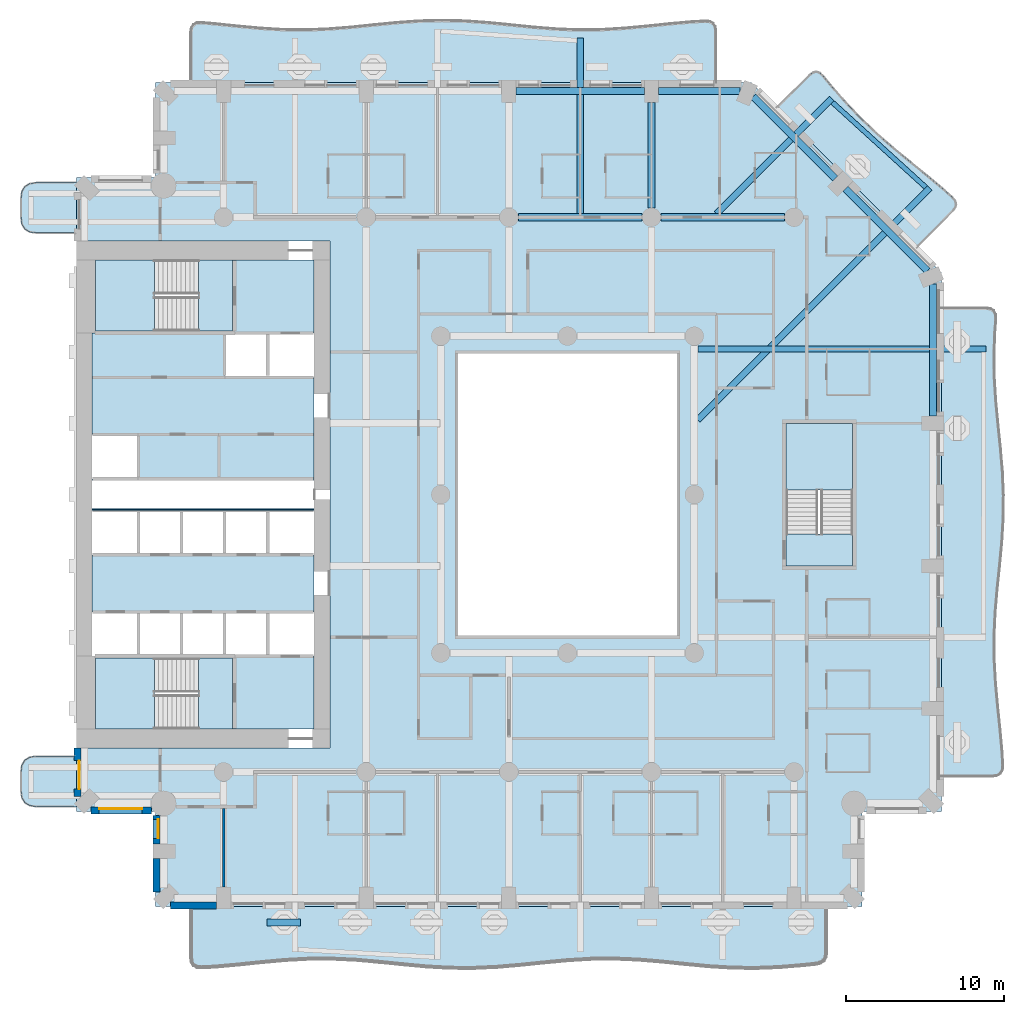
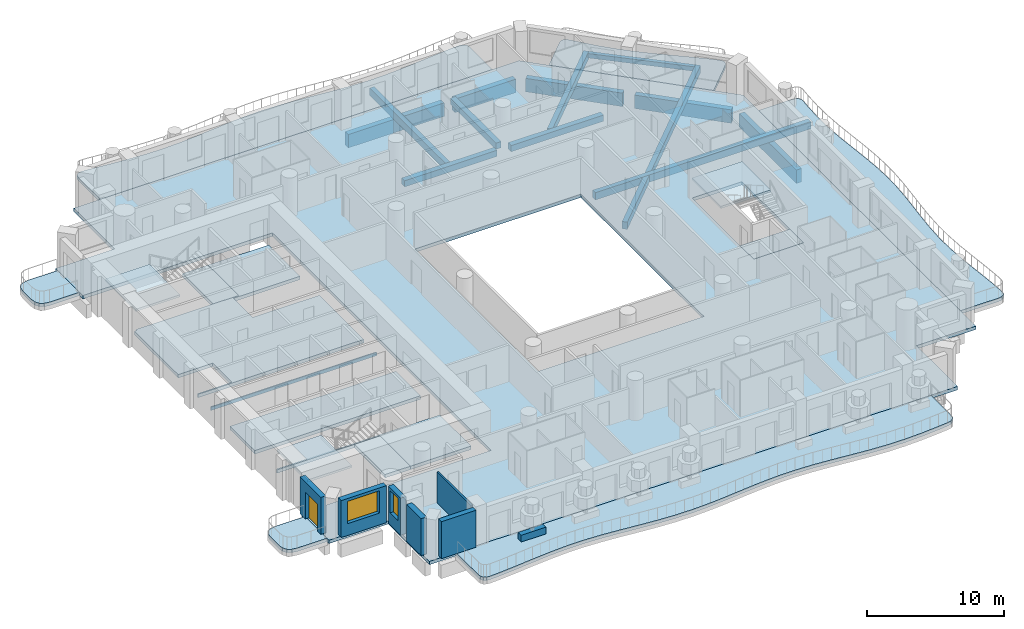
# One storey, part 2 of 20: 17 slabs, 13 beams, 7 walls, 2 windows, 1 door, 3 openings, 3 elements without a shape of their own.
"""IFC4 building model written with IfcOpenShell, lengths in metres."""

from ifc_helpers import new_model, si_unit, direction, frame, frame_2d, origin, origin_2d, place, context, subcontext, project, spatial, polyline, rectangle, outline, extrude, material, layer, layer_set, material_profile, profile_set, type_object, element, fill, aggregate, save


model = new_model("IFC4")

# Units and contexts
model_context = context("Model", 3, precision=1e-05, world=origin(), true_north=direction((0.0, 1.0)))
body_context = subcontext(model_context, "Body", "Model", "MODEL_VIEW")
ifc_project = project(units=[si_unit("LENGTHUNIT", "METRE"), si_unit("AREAUNIT", "SQUARE_METRE"), si_unit("VOLUMEUNIT", "CUBIC_METRE"), si_unit("PLANEANGLEUNIT", "RADIAN"), si_unit("MASSUNIT", "GRAM", prefix="KILO")], contexts=[model_context])

# Site, building, storey
site_placement = place(None, origin())
site = spatial("IfcSite", under=ifc_project, at=site_placement, CompositionType="ELEMENT")
building_placement = place(site_placement, origin())
building = spatial("IfcBuilding", under=site, at=building_placement, Name="Cypress Arch Tower", CompositionType="ELEMENT")
storey_placement = place(building_placement, frame((0.0, 0.0, 55.5)))
storey = spatial("IfcBuildingStorey", under=building, at=storey_placement, Name="L07", CompositionType="ELEMENT", Elevation=55.5)

# Beams
ifc_material_1 = material(Name="Concrete C50/60", Category="concrete")
ifc_material_profile_1 = material_profile(ifc_material_1, rectangle(XDim=0.300048828125, YDim=0.39990234375, at=origin_2d()), Name="RC 300x400")
ifc_profile_set_1 = profile_set([ifc_material_profile_1], Name="Concrete C50/60")
beam_type_1 = type_object("IfcBeamType", Name="Balcony edge beam RC 300x400 Concrete C50/60", PredefinedType="BEAM", material=ifc_profile_set_1)
beam_1_placement = place(storey_placement, frame((23.615478515625, 19.38623046875, -0.5), z_axis=(-0.739547675777, 0.673104178603, 0.0), x_axis=(-0.673104178603, -0.739547675777, 0.0)))
element("IfcBeam", 1, at=beam_1_placement, inside=storey, type_object=beam_type_1, Name="Balcony edge beam L07 A07", PredefinedType="BEAM", context=body_context, shape_type="SweptSolid", body=[
    extrude(rectangle(XDim=0.300048828125, YDim=0.39990234375, at=origin_2d()), origin(), (0.0, 0.0, 1.0), 7.9697265625),
])
ifc_material_2 = material(Name="Concrete C50/60", Category="concrete")
ifc_material_profile_2 = material_profile(ifc_material_2, rectangle(XDim=0.39990234375, YDim=0.64990234375, at=origin_2d()), Name="RC 400x650")
ifc_profile_set_2 = profile_set([ifc_material_profile_2], Name="Concrete C50/60")
beam_type_2 = type_object("IfcBeamType", Name="Cantilever beam RC 400x650 Concrete C50/60", PredefinedType="BEAM", material=ifc_profile_set_2)
beam_2_placement = place(storey_placement, frame((9.22509765625, 9.18798828125, -0.625), z_axis=(1.0, 0.0, 0.0), x_axis=(0.0, 1.0, 0.0)))
element("IfcBeam", 2, at=beam_2_placement, inside=storey, type_object=beam_type_2, Name="Cantilever beam L07 A06 2", PredefinedType="BEAM", context=body_context, shape_type="SweptSolid", body=[
    extrude(rectangle(XDim=0.39990234375, YDim=0.64990234375, at=origin_2d()), origin(), (0.0, 0.0, 1.0), 18.190673828125),
])
beam_3_placement = place(storey_placement, frame((9.22509765625, 4.712890625, -0.625), z_axis=(0.707106781187, 0.707106781187, 0.0), x_axis=(-0.707106781187, 0.707106781187, 0.0)))
element("IfcBeam", 3, at=beam_3_placement, inside=storey, type_object=beam_type_2, Name="Cantilever beam L07 A07 1", PredefinedType="BEAM", context=body_context, shape_type="SweptSolid", body=[
    extrude(rectangle(XDim=0.39990234375, YDim=0.64990234375, at=origin_2d()), origin(), (0.0, 0.0, 1.0), 20.701171875),
])
beam_4_placement = place(storey_placement, frame((10.412841796875, 17.72509765625, -0.625), z_axis=(0.707106781187, 0.707106781187, 0.0), x_axis=(-0.707106781187, 0.707106781187, 0.0)))
element("IfcBeam", 4, at=beam_4_placement, inside=storey, type_object=beam_type_2, Name="Cantilever beam L07 A07 2", PredefinedType="BEAM", context=body_context, shape_type="SweptSolid", body=[
    extrude(rectangle(XDim=0.39990234375, YDim=0.64990234375, at=origin_2d()), origin(), (0.0, 0.0, 1.0), 10.285888671875),
])
beam_5_placement = place(storey_placement, frame((1.800048828125, 17.72509765625, -0.625), z_axis=(0.0, 1.0, 0.0), x_axis=(-1.0, 0.0, 0.0)))
element("IfcBeam", 5, at=beam_5_placement, inside=storey, type_object=beam_type_2, Name="Cantilever beam L07 A08 1", PredefinedType="BEAM", context=body_context, shape_type="SweptSolid", body=[
    extrude(rectangle(XDim=0.39990234375, YDim=0.64990234375, at=origin_2d()), origin(), (0.0, 0.0, 1.0), 11.07861328125),
])
ifc_material_3 = material(Name="Concrete C50/60", Category="concrete")
ifc_material_profile_3 = material_profile(ifc_material_3, rectangle(XDim=0.449951171875, YDim=0.550048828125, at=origin_2d()), Name="RC 450x550")
ifc_profile_set_3 = profile_set([ifc_material_profile_3], Name="Concrete C50/60")
beam_type_3 = type_object("IfcBeamType", Name="Floor beam RC 450x550 Concrete C50/60", PredefinedType="BEAM", material=ifc_profile_set_3)
for number, where, z_axis, x_axis, name in (
    (6, (-2.10009765625, 17.5, -0.574951171875), (1.0, 0.0, 0.0), (0.0, 1.0, 0.0), "Floor beam L07 FB017"),
    (7, (6.89990234375, 17.5, -0.574951171875), (1.0, 0.0, 0.0), (0.0, 1.0, 0.0), "Floor beam L07 FB018"),
):
    element("IfcBeam", number, at=place(storey_placement, frame(where, z_axis=z_axis, x_axis=x_axis)), inside=storey, type_object=beam_type_3, Name=name, PredefinedType="BEAM", context=body_context, shape_type="SweptSolid", body=[
        extrude(rectangle(XDim=0.449951171875, YDim=0.550048828125, at=origin_2d()), origin(), (0.0, 0.0, 1.0), 7.800048828125),
    ])
beam_6_placement = place(storey_placement, frame((6.300048828125, 18.10009765625, -0.574951171875), z_axis=(0.0, 1.0, 0.0), x_axis=(-1.0, 0.0, 0.0)))
element("IfcBeam", 8, at=beam_6_placement, inside=storey, type_object=beam_type_3, Name="Floor beam L07 FB033", PredefinedType="BEAM", context=body_context, shape_type="SweptSolid", body=[
    extrude(rectangle(XDim=0.449951171875, YDim=0.550048828125, at=origin_2d()), origin(), (0.0, 0.0, 1.0), 6.64990234375),
])
ifc_material_4 = material(Name="Concrete C50/60", Category="concrete")
ifc_material_profile_4 = material_profile(ifc_material_4, rectangle(XDim=0.449951171875, YDim=1.199951171875, at=origin_2d()), Name="RC 450x1200")
ifc_profile_set_4 = profile_set([ifc_material_profile_4], Name="Concrete C50/60")
beam_type_4 = type_object("IfcBeamType", Name="Spandrel beam RC 450x1200 Concrete C50/60", PredefinedType="SPANDREL", material=ifc_profile_set_4)
beam_7_placement = place(storey_placement, frame((24.074951171875, 4.949951171875, -1.550048828125), z_axis=(0.0, 1.0, 0.0), x_axis=(-1.0, 0.0, 0.0)))
element("IfcBeam", 9, at=beam_7_placement, inside=storey, type_object=beam_type_4, Name="Spandrel beam L07 BA06-3", PredefinedType="SPANDREL", context=body_context, shape_type="SweptSolid", body=[
    extrude(rectangle(XDim=0.449951171875, YDim=1.199951171875, at=origin_2d()), origin(), (0.0, 0.0, 1.0), 8.345458984375),
])
for number, where, z_axis, x_axis, name in (
    (10, (23.73046875, 14.126953125, -1.550048828125), (-0.707106781187, 0.707106781187, 0.0), (-0.707106781187, -0.707106781187, 0.0), "Spandrel beam L07 BA07-0"),
    (11, (17.91064453125, 19.947021484375, -1.550048828125), (-0.707106781187, 0.707106781187, 0.0), (-0.707106781187, -0.707106781187, 0.0), "Spandrel beam L07 BA07-1"),
):
    element("IfcBeam", number, at=place(storey_placement, frame(where, z_axis=z_axis, x_axis=x_axis)), inside=storey, type_object=beam_type_4, Name=name, PredefinedType="SPANDREL", context=body_context, shape_type="SweptSolid", body=[
        extrude(rectangle(XDim=0.449951171875, YDim=1.199951171875, at=origin_2d()), origin(), (0.0, 0.0, 1.0), 7.330810546875),
    ])
beam_8_placement = place(storey_placement, frame((11.8955078125, 25.47509765625, -1.550048828125), z_axis=(-1.0, 0.0, 0.0), x_axis=(0.0, -1.0, 0.0)))
element("IfcBeam", 12, at=beam_8_placement, inside=storey, type_object=beam_type_4, Name="Spandrel beam L07 BA08-0", PredefinedType="SPANDREL", context=body_context, shape_type="SweptSolid", body=[
    extrude(rectangle(XDim=0.449951171875, YDim=1.199951171875, at=origin_2d()), origin(), (0.0, 0.0, 1.0), 5.1455078125),
])
beam_9_placement = place(storey_placement, frame((5.85009765625, 25.47509765625, -1.550048828125), z_axis=(-1.0, 0.0, 0.0), x_axis=(0.0, -1.0, 0.0)))
element("IfcBeam", 13, at=beam_9_placement, inside=storey, type_object=beam_type_4, Name="Spandrel beam L07 BA08-1", PredefinedType="SPANDREL", context=body_context, shape_type="SweptSolid", body=[
    extrude(rectangle(XDim=0.449951171875, YDim=1.199951171875, at=origin_2d()), origin(), (0.0, 0.0, 1.0), 8.10009765625),
])

# Slabs
ifc_material_5 = material(Name="Concrete C40/50", Category="concrete")
ifc_layer_1 = layer(ifc_material_5, 0.300048828125)
ifc_layer_set_1 = layer_set([ifc_layer_1], Name="Balcony slab BS300")
slab_type_1 = type_object("IfcSlabType", Name="Balcony slab BS300", PredefinedType="USERDEFINED", material=ifc_layer_set_1)
slab_1_placement = place(storey_placement, frame((0.0, 0.0, -0.300048828125)))
element("IfcSlab", 14, at=slab_1_placement, inside=storey, type_object=slab_type_1, Name="Balcony slab L07-A00W0", ObjectType="BALCONY SLAB", PredefinedType="USERDEFINED", context=body_context, shape_type="SweptSolid", body=[
    extrude(outline(polyline([(-30.0, 19.699951171875), (-32.5, 19.699951171875), (-32.9375, 19.637451171875), (-33.25, 19.449951171875), (-33.4375, 19.137451171875), (-33.5, 18.699951171875), (-33.5, 17.5), (-33.4375, 17.0625), (-33.25, 16.75), (-32.9375, 16.5625), (-32.5, 16.5), (-30.0, 16.5), (-30.0, 19.699951171875)])), origin(), (0.0, 0.0, 1.0), 0.300048828125),
])
slab_2_placement = place(storey_placement, frame((0.0, 0.0, -0.300048828125)))
element("IfcSlab", 15, at=slab_2_placement, inside=storey, type_object=slab_type_1, Name="Balcony slab L07-A00W1", ObjectType="BALCONY SLAB", PredefinedType="USERDEFINED", context=body_context, shape_type="SweptSolid", body=[
    extrude(outline(polyline([(-30.0, -16.5), (-32.5, -16.5), (-32.9375, -16.5625), (-33.25, -16.75), (-33.4375, -17.0625), (-33.5, -17.5), (-33.5, -18.699951171875), (-33.4375, -19.137451171875), (-33.25, -19.449951171875), (-32.9375, -19.637451171875), (-32.5, -19.699951171875), (-30.0, -19.699951171875), (-30.0, -16.5)])), origin(), (0.0, 0.0, 1.0), 0.300048828125),
])
slab_3_placement = place(storey_placement, frame((0.0, 0.0, -0.300048828125)))
element("IfcSlab", 16, at=slab_3_placement, inside=storey, type_object=slab_type_1, Name="Balcony slab L07-A03", ObjectType="BALCONY SLAB", PredefinedType="USERDEFINED", context=body_context, shape_type="SweptSolid", body=[
    extrude(outline(polyline([(-22.75, -26.0), (-22.75, -29.220458984375), (-22.708251953125, -29.51123046875), (-22.5830078125, -29.7138671875), (-22.3740234375, -29.82861328125), (-22.081787109375, -29.855224609375), (-21.264892578125, -29.813232421875), (-19.779541015625, -29.6806640625), (-18.29443359375, -29.52685546875), (-16.809326171875, -29.392333984375), (-15.323974609375, -29.312255859375), (-13.8388671875, -29.307861328125), (-12.353759765625, -29.38037109375), (-10.868408203125, -29.510498046875), (-9.38330078125, -29.6640625), (-7.898193359375, -29.80078125), (-6.412841796875, -29.885009765625), (-4.927734375, -29.89404296875), (-3.442626953125, -29.825927734375), (-1.95751953125, -29.698486328125), (-0.47216796875, -29.544921875), (1.012939453125, -29.406005859375), (2.498046875, -29.318115234375), (3.9833984375, -29.30419921875), (5.468505859375, -29.3681640625), (6.95361328125, -29.492919921875), (8.43896484375, -29.645751953125), (9.924072265625, -29.78662109375), (11.4091796875, -29.87841796875), (12.89453125, -29.897216796875), (14.379638671875, -29.837646484375), (15.86474609375, -29.7158203125), (16.681640625, -29.632080078125), (16.97412109375, -29.56005859375), (17.182861328125, -29.41259765625), (17.308349609375, -29.189697265625), (17.35009765625, -28.8916015625), (17.35009765625, -26.0), (-22.75, -26.0)])), origin(), (0.0, 0.0, 1.0), 0.300048828125),
])
slab_4_placement = place(storey_placement, frame((0.0, 0.0, -0.300048828125)))
element("IfcSlab", 17, at=slab_4_placement, inside=storey, type_object=slab_type_1, Name="Balcony slab L07-A06", ObjectType="BALCONY SLAB", PredefinedType="USERDEFINED", context=body_context, shape_type="SweptSolid", body=[
    extrude(outline(polyline([(24.60009765625, -17.75), (27.8251953125, -17.75), (28.11376953125, -17.70849609375), (28.315185546875, -17.583984375), (28.428955078125, -17.376708984375), (28.45556640625, -17.086181640625), (28.4140625, -16.27490234375), (28.28271484375, -14.800048828125), (28.1298828125, -13.324951171875), (27.995361328125, -11.85009765625), (27.913818359375, -10.375), (27.906494140625, -8.89990234375), (27.975341796875, -7.425048828125), (28.102294921875, -5.949951171875), (28.254638671875, -4.47509765625), (28.392822265625, -3.0), (28.48095703125, -1.52490234375), (28.496337890625, -0.050048828125), (28.434814453125, 1.425048828125), (28.3125, 2.89990234375), (28.160888671875, 4.375), (28.01953125, 5.85009765625), (27.9248046875, 7.324951171875), (27.901611328125, 8.800048828125), (27.955810546875, 10.27490234375), (28.020263671875, 11.086181640625), (28.001953125, 11.376708984375), (27.8935546875, 11.583984375), (27.6953125, 11.70849609375), (27.407470703125, 11.75), (24.60009765625, 11.75), (24.60009765625, -17.75)])), origin(), (0.0, 0.0, 1.0), 0.300048828125),
])
slab_5_placement = place(storey_placement, frame((0.0, 0.0, -0.300048828125)))
element("IfcSlab", 18, at=slab_5_placement, inside=storey, type_object=slab_type_1, Name="Balcony slab L07-A07", ObjectType="BALCONY SLAB", PredefinedType="USERDEFINED", context=body_context, shape_type="SweptSolid", body=[
    extrude(outline(polyline([(23.009033203125, 15.591064453125), (25.318115234375, 17.900146484375), (25.482177734375, 18.119384765625), (25.533447265625, 18.3359375), (25.471435546875, 18.549560546875), (25.296630859375, 18.76025390625), (24.730712890625, 19.272216796875), (23.666015625, 20.167236328125), (22.585205078125, 21.0458984375), (21.51123046875, 21.931396484375), (20.4658203125, 22.845458984375), (19.4638671875, 23.80322265625), (18.510498046875, 24.8095703125), (17.599853515625, 25.8583984375), (17.11376953125, 26.449951171875), (16.911865234375, 26.634033203125), (16.70458984375, 26.7021484375), (16.49169921875, 26.654541015625), (16.27294921875, 26.490966796875), (14.19091796875, 24.408935546875), (23.009033203125, 15.591064453125)])), origin(), (0.0, 0.0, 1.0), 0.300048828125),
])
slab_6_placement = place(storey_placement, frame((0.0, 0.0, -0.300048828125)))
element("IfcSlab", 19, at=slab_6_placement, inside=storey, type_object=slab_type_1, Name="Balcony slab L07-A08", ObjectType="BALCONY SLAB", PredefinedType="USERDEFINED", context=body_context, shape_type="SweptSolid", body=[
    extrude(outline(polyline([(10.35009765625, 26.0), (10.35009765625, 29.2412109375), (10.3095703125, 29.52294921875), (10.18798828125, 29.719482421875), (9.98583984375, 29.830810546875), (9.702392578125, 29.85693359375), (8.910888671875, 29.816650390625), (7.4716796875, 29.68994140625), (6.03271484375, 29.541015625), (4.593505859375, 29.40673828125), (3.154296875, 29.320068359375), (1.71533203125, 29.302734375), (0.276123046875, 29.35888671875), (-1.1630859375, 29.474365234375), (-2.602294921875, 29.62109375), (-4.041259765625, 29.7626953125), (-5.48046875, 29.864013671875), (-6.919677734375, 29.89990234375), (-8.358642578125, 29.862060546875), (-9.7978515625, 29.75927734375), (-11.237060546875, 29.616943359375), (-12.676025390625, 29.470703125), (-14.115234375, 29.3564453125), (-15.554443359375, 29.30224609375), (-16.993408203125, 29.321533203125), (-18.4326171875, 29.409912109375), (-19.871826171875, 29.544921875), (-21.310791015625, 29.69384765625), (-22.102294921875, 29.762939453125), (-22.3857421875, 29.7470703125), (-22.588134765625, 29.642822265625), (-22.70947265625, 29.4501953125), (-22.75, 29.16943359375), (-22.75, 26.0), (10.35009765625, 26.0)])), origin(), (0.0, 0.0, 1.0), 0.300048828125),
])
ifc_material_6 = material(Name="Concrete C40/50", Category="concrete")
ifc_layer_2 = layer(ifc_material_6, 0.300048828125)
ifc_layer_set_2 = layer_set([ifc_layer_2], Name="Core floor CF300")
slab_type_2 = type_object("IfcSlabType", Name="Core floor CF300", PredefinedType="FLOOR", material=ifc_layer_set_2)
slab_7_placement = place(storey_placement, frame((0.0, 0.0, -0.300048828125)))
element("IfcSlab", 20, at=slab_7_placement, inside=storey, type_object=slab_type_2, Name="Core floor", PredefinedType="FLOOR", context=body_context, shape_type="SweptSolid", body=[
    extrude(outline(polyline([(-20.125, -14.800048828125), (-15.0, -14.800048828125), (-15.0, -10.199951171875), (-17.919921875, -10.199951171875), (-20.639892578125, -10.199951171875), (-23.360107421875, -10.199951171875), (-26.080078125, -10.199951171875), (-28.800048828125, -10.199951171875), (-28.800048828125, -10.324951171875), (-22.27490234375, -10.324951171875), (-20.125, -10.324951171875), (-20.125, -14.800048828125)])), origin(), (0.0, 0.0, 1.0), 0.300048828125),
])
slab_8_placement = place(storey_placement, frame((0.0, 0.0, -0.300048828125)))
element("IfcSlab", 21, at=slab_8_placement, inside=storey, type_object=slab_type_2, Name="Core floor", PredefinedType="FLOOR", context=body_context, shape_type="SweptSolid", body=[
    extrude(outline(polyline([(-29.0, -3.800048828125), (-29.0, -7.39990234375), (-26.080078125, -7.39990234375), (-23.360107421875, -7.39990234375), (-20.639892578125, -7.39990234375), (-17.919921875, -7.39990234375), (-15.0, -7.39990234375), (-15.0, -3.800048828125), (-17.919921875, -3.800048828125), (-20.639892578125, -3.800048828125), (-23.360107421875, -3.800048828125), (-26.080078125, -3.800048828125), (-29.0, -3.800048828125)])), origin(), (0.0, 0.0, 1.0), 0.300048828125),
])
slab_9_placement = place(storey_placement, frame((0.0, 0.0, -0.300048828125)))
element("IfcSlab", 22, at=slab_9_placement, inside=storey, type_object=slab_type_2, Name="Core floor", PredefinedType="FLOOR", context=body_context, shape_type="SweptSolid", body=[
    extrude(outline(polyline([(-29.0, 3.800048828125), (-29.0, 10.199951171875), (-28.800048828125, 10.199951171875), (-28.800048828125, 10.324951171875), (-28.60009765625, 10.324951171875), (-22.27490234375, 10.324951171875), (-20.125, 10.324951171875), (-20.125, 14.800048828125), (-15.39990234375, 14.800048828125), (-15.0, 14.800048828125), (-15.0, 10.199951171875), (-15.39990234375, 10.199951171875), (-17.919921875, 10.199951171875), (-20.639892578125, 10.199951171875), (-20.639892578125, 7.39990234375), (-17.919921875, 7.39990234375), (-15.39990234375, 7.39990234375), (-15.0, 7.39990234375), (-15.0, 0.89990234375), (-28.60009765625, 0.89990234375), (-29.0, 0.89990234375), (-29.0, 1.0), (-28.60009765625, 1.0), (-26.080078125, 1.0), (-26.080078125, 3.800048828125), (-28.60009765625, 3.800048828125), (-29.0, 3.800048828125)])), origin(), (0.0, 0.0, 1.0), 0.300048828125),
])
slab_10_placement = place(storey_placement, frame((0.0, 0.0, -0.300048828125)))
element("IfcSlab", 23, at=slab_10_placement, inside=storey, type_object=slab_type_2, Name="Core floor", PredefinedType="FLOOR", context=body_context, shape_type="SweptSolid", body=[
    extrude(outline(polyline([(-22.27490234375, -10.324951171875), (-22.27490234375, -14.800048828125), (-20.125, -14.800048828125), (-20.125, -10.324951171875), (-22.27490234375, -10.324951171875)])), origin(), (0.0, 0.0, 1.0), 0.300048828125),
])
slab_11_placement = place(storey_placement, frame((0.0, 0.0, -0.300048828125)))
element("IfcSlab", 24, at=slab_11_placement, inside=storey, type_object=slab_type_2, Name="Core floor", PredefinedType="FLOOR", context=body_context, shape_type="SweptSolid", body=[
    extrude(outline(polyline([(-20.125, 14.800048828125), (-22.27490234375, 14.800048828125), (-22.27490234375, 10.324951171875), (-20.125, 10.324951171875), (-20.125, 14.800048828125)])), origin(), (0.0, 0.0, 1.0), 0.300048828125),
])
slab_12_placement = place(storey_placement, frame((0.0, 0.0, -0.300048828125)))
element("IfcSlab", 25, at=slab_12_placement, inside=storey, type_object=slab_type_2, Name="Stair floor landing", PredefinedType="FLOOR", context=body_context, shape_type="SweptSolid", body=[
    extrude(outline(polyline([(19.0, -4.5), (19.0, -2.5), (14.800048828125, -2.5), (14.800048828125, -4.5), (19.0, -4.5)])), origin(), (0.0, 0.0, 1.0), 0.300048828125),
])
slab_13_placement = place(storey_placement, frame((0.0, 0.0, -0.300048828125)))
element("IfcSlab", 26, at=slab_13_placement, inside=storey, type_object=slab_type_2, Name="Core floor", PredefinedType="FLOOR", context=body_context, shape_type="SweptSolid", body=[
    extrude(outline(polyline([(-20.639892578125, -1.0), (-23.360107421875, -1.0), (-26.080078125, -1.0), (-28.60009765625, -1.0), (-29.0, -1.0), (-29.0, -0.89990234375), (-28.60009765625, -0.89990234375), (-15.39990234375, -0.89990234375), (-15.0, -0.89990234375), (-15.0, -1.0), (-15.39990234375, -1.0), (-17.919921875, -1.0), (-20.639892578125, -1.0)])), origin(), (0.0, 0.0, 1.0), 0.300048828125),
])
ifc_material_7 = material(Name="Concrete C40/50", Category="concrete")
ifc_layer_3 = layer(ifc_material_7, 0.300048828125)
ifc_layer_set_3 = layer_set([ifc_layer_3], Name="PT flat slab 300 Concrete C40/50")
slab_type_3 = type_object("IfcSlabType", Name="PT flat slab 300 Concrete C40/50", PredefinedType="FLOOR", material=ifc_layer_set_3)
slab_14_placement = place(storey_placement, frame((0.0, 0.0, -0.300048828125)))
element("IfcSlab", 27, at=slab_14_placement, inside=storey, type_object=slab_type_3, Name="Floor slab L07", PredefinedType="FLOOR", context=body_context, shape_type="SweptSolid", body=[
    extrude(outline(polyline([(-30.0, 20.0), (-25.0, 20.0), (-25.0, 26.0), (12.60009765625, 26.0), (24.60009765625, 14.0), (24.60009765625, -20.0), (19.60009765625, -20.0), (19.60009765625, -26.0), (-25.0, -26.0), (-25.0, -20.0), (-30.0, -20.0), (-30.0, -16.0), (-14.0, -16.0), (-14.0, 16.0), (-30.0, 16.0), (-30.0, 20.0)]), holes=[polyline([(-6.0, -9.0), (8.0, -9.0), (8.0, 9.0), (-6.0, 9.0), (-6.0, -9.0)]), polyline([(14.800048828125, -4.5), (19.0, -4.5), (19.0, 4.5), (14.800048828125, 4.5), (14.800048828125, -4.5)])]), origin(), (0.0, 0.0, 1.0), 0.300048828125),
])

# Stair, slab
ifc_material_8 = material(Name="Concrete C40/50", Category="concrete")
stair_type_1 = type_object("IfcStairType", Name="Exit stair ES1636-215", PredefinedType="HALF_TURN_STAIR", material=ifc_material_8)
stair_1_placement = place(storey_placement, origin())
stair_1 = element("IfcStair", 28, at=stair_1_placement, inside=storey, type_object=stair_type_1, Name="L07 Exit stair A", PredefinedType="HALF_TURN_STAIR")
ifc_material_9 = material(Name="Concrete C40/50", Category="concrete")
ifc_layer_4 = layer(ifc_material_9, 0.199951171875)
ifc_layer_set_4 = layer_set([ifc_layer_4], Name="Stair landing SL200")
slab_type_4 = type_object("IfcSlabType", Name="Stair landing SL200", PredefinedType="LANDING", material=ifc_layer_set_4)
slab_15_placement = place(storey_placement, frame((0.0, 0.0, 1.60009765625)))
slab_15 = element("IfcSlab", 29, at=slab_15_placement, type_object=slab_type_4, Name="A landing 1", PredefinedType="LANDING", context=body_context, shape_type="SweptSolid", body=[
    extrude(outline(polyline([(-25.074951171875, -10.324951171875), (-28.800048828125, -10.324951171875), (-28.800048828125, -14.800048828125), (-25.074951171875, -14.800048828125), (-25.074951171875, -10.324951171875)])), origin(), (0.0, 0.0, 1.0), 0.199951171875),
])
aggregate(stair_1, [slab_15])

stair_2_placement = place(storey_placement, origin())
stair_2 = element("IfcStair", 30, at=stair_2_placement, inside=storey, type_object=stair_type_1, Name="L07 Exit stair B", PredefinedType="HALF_TURN_STAIR")
slab_16_placement = place(storey_placement, frame((0.0, 0.0, 1.60009765625)))
slab_16 = element("IfcSlab", 31, at=slab_16_placement, type_object=slab_type_4, Name="B landing 1", PredefinedType="LANDING", context=body_context, shape_type="SweptSolid", body=[
    extrude(outline(polyline([(-25.074951171875, 14.800048828125), (-28.800048828125, 14.800048828125), (-28.800048828125, 10.324951171875), (-25.074951171875, 10.324951171875), (-25.074951171875, 14.800048828125)])), origin(), (0.0, 0.0, 1.0), 0.199951171875),
])
aggregate(stair_2, [slab_16])

ifc_material_10 = material(Name="Concrete C40/50", Category="concrete")
stair_type_2 = type_object("IfcStairType", Name="Exit stair ES1636-200", PredefinedType="HALF_TURN_STAIR", material=ifc_material_10)
stair_3_placement = place(storey_placement, origin())
stair_3 = element("IfcStair", 32, at=stair_3_placement, inside=storey, type_object=stair_type_2, Name="L07 Exit stair C", PredefinedType="HALF_TURN_STAIR")
slab_17_placement = place(storey_placement, frame((0.0, 0.0, 1.60009765625)))
slab_17 = element("IfcSlab", 33, at=slab_17_placement, type_object=slab_type_4, Name="C landing 1", PredefinedType="LANDING", context=body_context, shape_type="SweptSolid", body=[
    extrude(outline(polyline([(19.0, 0.300048828125), (19.0, 4.5), (14.800048828125, 4.5), (14.800048828125, 0.300048828125), (19.0, 0.300048828125)])), origin(), (0.0, 0.0, 1.0), 0.199951171875),
])
aggregate(stair_3, [slab_17])

# Wall
ifc_material_11 = material(Name="Concrete C40/50, waterproofed", Category="concrete")
ifc_layer_5 = layer(ifc_material_11, 0.449951171875)
ifc_layer_set_5 = layer_set([ifc_layer_5], Name="Balcony planter wall PW450")
wall_type_1 = type_object("IfcWallType", Name="Balcony planter wall PW450", PredefinedType="SOLIDWALL", material=ifc_layer_set_5)
wall_1_placement = place(storey_placement, frame((-17.949951171875, -27.0, 0.0), z_axis=(0.0, 0.0, 1.0), x_axis=(1.0, 0.0, 0.0)))
element("IfcWall", 34, at=wall_1_placement, inside=storey, type_object=wall_type_1, Name="Balcony planter wall L07-A03.1", PredefinedType="SOLIDWALL", context=body_context, shape_type="SweptSolid", body=[
    extrude(rectangle(XDim=2.099853515625, YDim=0.449951171875, at=frame_2d((1.0498046875, 0.0))), origin(), (0.0, 0.0, 1.0), 0.60009765625),
])

# Wall, opening, door
ifc_material_12 = material(Name="Brick (red buff blend)", Category="masonry")
ifc_layer_6 = layer(ifc_material_12, 0.449951171875)
ifc_layer_set_6 = layer_set([ifc_layer_6], Name="Brick pier and spandrel wall BW450")
wall_type_2 = type_object("IfcWallType", Name="Brick pier and spandrel wall BW450", PredefinedType="SOLIDWALL", material=ifc_layer_set_6)
wall_2_placement = place(storey_placement, frame((-29.925048828125, -16.0, 0.0), z_axis=(0.0, 0.0, 1.0), x_axis=(0.0, -1.0, 0.0)))
wall_2 = element("IfcWall", 35, at=wall_2_placement, inside=storey, type_object=wall_type_2, Name="Brick wall L07 A00.0.1", PredefinedType="SOLIDWALL", context=body_context, shape_type="SweptSolid", body=[
    extrude(rectangle(XDim=3.063720703125, YDim=0.449951171875, at=frame_2d((1.53173828125, 0.0))), origin(), (0.0, 0.0, 1.0), 3.300048828125),
])
opening_1_placement = place(wall_2_placement, frame((0.78173828125, 0.0, 0.0)))
opening_1 = element("IfcOpeningElement", 36, at=opening_1_placement, cuts=wall_2, Name="Opening D-L07-A00.0.1.9", PredefinedType="OPENING", context=body_context, shape_type="SweptSolid", body=[
    extrude(rectangle(XDim=1.800048828125, YDim=2.39990234375, at=frame_2d((0.89990234375, 1.199951171875))), frame((0.0, 0.23486328125, 0.0), z_axis=(0.0, -1.0, 0.0), x_axis=(1.0, 0.0, 0.0)), (0.0, 0.0, 1.0), 0.469970703125),
])
ifc_material_13 = material(Name="Anodised aluminium, bronze finish, laminated low-emissivity double glazing, large-missile impact rated", Category="aluminium")
door_type = type_object("IfcDoorType", Name="Balcony sliding door 1800x2400", OperationType="SLIDING_TO_LEFT", PredefinedType="DOOR", material=ifc_material_13)
door_placement = place(opening_1_placement, origin())
door = element("IfcDoor", 37, at=door_placement, inside=storey, type_object=door_type, Name="Balcony door L07 A00.0.1.9", OperationType="SLIDING_TO_LEFT", OverallHeight=2.39990234375, OverallWidth=1.800048828125, PredefinedType="DOOR", context=body_context, shape_type="SweptSolid", body=[
    extrude(rectangle(XDim=1.800048828125, YDim=2.39990234375, at=frame_2d((0.89990234375, 1.199951171875))), frame((0.0, 0.1298828125, 0.0), z_axis=(0.0, -1.0, 0.0), x_axis=(1.0, 0.0, 0.0)), (0.0, 0.0, 1.0), 0.050048828125),
])
fill(opening_1, door)

# Wall, opening, window
wall_3_placement = place(storey_placement, frame((-29.063720703125, -19.925048828125, 0.0), z_axis=(0.0, 0.0, 1.0), x_axis=(1.0, 0.0, 0.0)))
wall_3 = element("IfcWall", 38, at=wall_3_placement, inside=storey, type_object=wall_type_2, Name="Brick wall L07 A01.0", PredefinedType="SOLIDWALL", context=body_context, shape_type="SweptSolid", body=[
    extrude(rectangle(XDim=3.80517578125, YDim=0.449951171875, at=frame_2d((1.902587890625, 0.0))), origin(), (0.0, 0.0, 1.0), 3.300048828125),
])
opening_2_placement = place(wall_3_placement, frame((0.513671875, 0.0, 1.050048828125)))
opening_2 = element("IfcOpeningElement", 39, at=opening_2_placement, cuts=wall_3, Name="Opening W270H", PredefinedType="OPENING", context=body_context, shape_type="SweptSolid", body=[
    extrude(rectangle(XDim=2.699951171875, YDim=2.0, at=frame_2d((1.35009765625, 1.0))), frame((0.0, 0.23486328125, 0.0), z_axis=(0.0, -1.0, 0.0), x_axis=(1.0, 0.0, 0.0)), (0.0, 0.0, 1.0), 0.469970703125),
])
ifc_material_14 = material(Name="Anodised aluminium, bronze finish, clear low-emissivity double glazing", Category="aluminium")
window_type_1 = type_object("IfcWindowType", Name="Window Hotel 2700x2000", PartitioningType="SINGLE_PANEL", PredefinedType="WINDOW", material=ifc_material_14)
window_1_placement = place(opening_2_placement, origin())
window_1 = element("IfcWindow", 40, at=window_1_placement, inside=storey, type_object=window_type_1, Name="Window L07 A01.0.1", OverallHeight=2.0, OverallWidth=2.699951171875, PartitioningType="SINGLE_PANEL", PredefinedType="WINDOW", context=body_context, shape_type="SweptSolid", body=[
    extrude(rectangle(XDim=2.699951171875, YDim=2.0, at=frame_2d((1.35009765625, 1.0))), frame((0.0, 0.135009765625, 0.0), z_axis=(0.0, -1.0, 0.0), x_axis=(1.0, 0.0, 0.0)), (0.0, 0.0, 1.0), 0.06005859375),
])
fill(opening_2, window_1)

wall_4_placement = place(storey_placement, frame((-24.925048828125, -20.258544921875, 0.0), z_axis=(0.0, 0.0, 1.0), x_axis=(0.0, -1.0, 0.0)))
wall_4 = element("IfcWall", 41, at=wall_4_placement, inside=storey, type_object=wall_type_2, Name="Brick wall L07 A02.0", PredefinedType="SOLIDWALL", context=body_context, shape_type="SweptSolid", body=[
    extrude(rectangle(XDim=1.79150390625, YDim=0.449951171875, at=frame_2d((0.895751953125, 0.0))), origin(), (0.0, 0.0, 1.0), 3.300048828125),
])
opening_3_placement = place(wall_4_placement, frame((0.241455078125, 0.0, 1.050048828125)))
opening_3 = element("IfcOpeningElement", 42, at=opening_3_placement, cuts=wall_4, Name="Opening W120H", PredefinedType="OPENING", context=body_context, shape_type="SweptSolid", body=[
    extrude(rectangle(XDim=1.199951171875, YDim=2.0, at=frame_2d((0.60009765625, 1.0))), frame((0.0, 0.23486328125, 0.0), z_axis=(0.0, -1.0, 0.0), x_axis=(1.0, 0.0, 0.0)), (0.0, 0.0, 1.0), 0.469970703125),
])
ifc_material_15 = material(Name="Anodised aluminium, bronze finish, clear low-emissivity double glazing", Category="aluminium")
window_type_2 = type_object("IfcWindowType", Name="Window Hotel 1200x2000", PartitioningType="SINGLE_PANEL", PredefinedType="WINDOW", material=ifc_material_15)
window_2_placement = place(opening_3_placement, origin())
window_2 = element("IfcWindow", 43, at=window_2_placement, inside=storey, type_object=window_type_2, Name="Window L07 A02.0.1", OverallHeight=2.0, OverallWidth=1.199951171875, PartitioningType="SINGLE_PANEL", PredefinedType="WINDOW", context=body_context, shape_type="SweptSolid", body=[
    extrude(rectangle(XDim=1.199951171875, YDim=2.0, at=frame_2d((0.60009765625, 1.0))), frame((0.0, 0.135009765625, 0.0), z_axis=(0.0, -1.0, 0.0), x_axis=(1.0, 0.0, 0.0)), (0.0, 0.0, 1.0), 0.06005859375),
])
fill(opening_3, window_2)

# Walls
wall_5_placement = place(storey_placement, frame((-24.925048828125, -22.949951171875, 0.0), z_axis=(0.0, 0.0, 1.0), x_axis=(0.0, -1.0, 0.0)))
element("IfcWall", 44, at=wall_5_placement, inside=storey, type_object=wall_type_2, Name="Brick wall L07 A02.1", PredefinedType="SOLIDWALL", context=body_context, shape_type="SweptSolid", body=[
    extrude(rectangle(XDim=2.11376953125, YDim=0.449951171875, at=frame_2d((1.056884765625, 0.0))), origin(), (0.0, 0.0, 1.0), 3.300048828125),
])
wall_6_placement = place(storey_placement, frame((-24.063720703125, -25.925048828125, 0.0), z_axis=(0.0, 0.0, 1.0), x_axis=(1.0, 0.0, 0.0)))
element("IfcWall", 45, at=wall_6_placement, inside=storey, type_object=wall_type_2, Name="Brick wall L07 A03.0", PredefinedType="SOLIDWALL", context=body_context, shape_type="SweptSolid", body=[
    extrude(rectangle(XDim=2.913818359375, YDim=0.449951171875, at=frame_2d((1.45703125, 0.0))), origin(), (0.0, 0.0, 1.0), 3.300048828125),
])
ifc_material_16 = material(Name="Blockwork, plastered both sides", Category="masonry")
ifc_layer_7 = layer(ifc_material_16, 0.14990234375)
ifc_layer_set_7 = layer_set([ifc_layer_7], Name="Partition PW150")
wall_type_3 = type_object("IfcWallType", Name="Partition PW150", PredefinedType="PARTITIONING", material=ifc_layer_set_7)
wall_7_placement = place(storey_placement, frame((-20.699951171875, -24.75, 0.0), z_axis=(0.0, 0.0, 1.0), x_axis=(0.0, 1.0, 0.0)))
element("IfcWall", 46, at=wall_7_placement, inside=storey, type_object=wall_type_3, Name="Partition", PredefinedType="PARTITIONING", context=body_context, shape_type="SweptSolid", body=[
    extrude(rectangle(XDim=4.949951171875, YDim=0.14990234375, at=frame_2d((2.47509765625, 0.0))), origin(), (0.0, 0.0, 1.0), 2.75),
])

save(model, "model.ifc")
